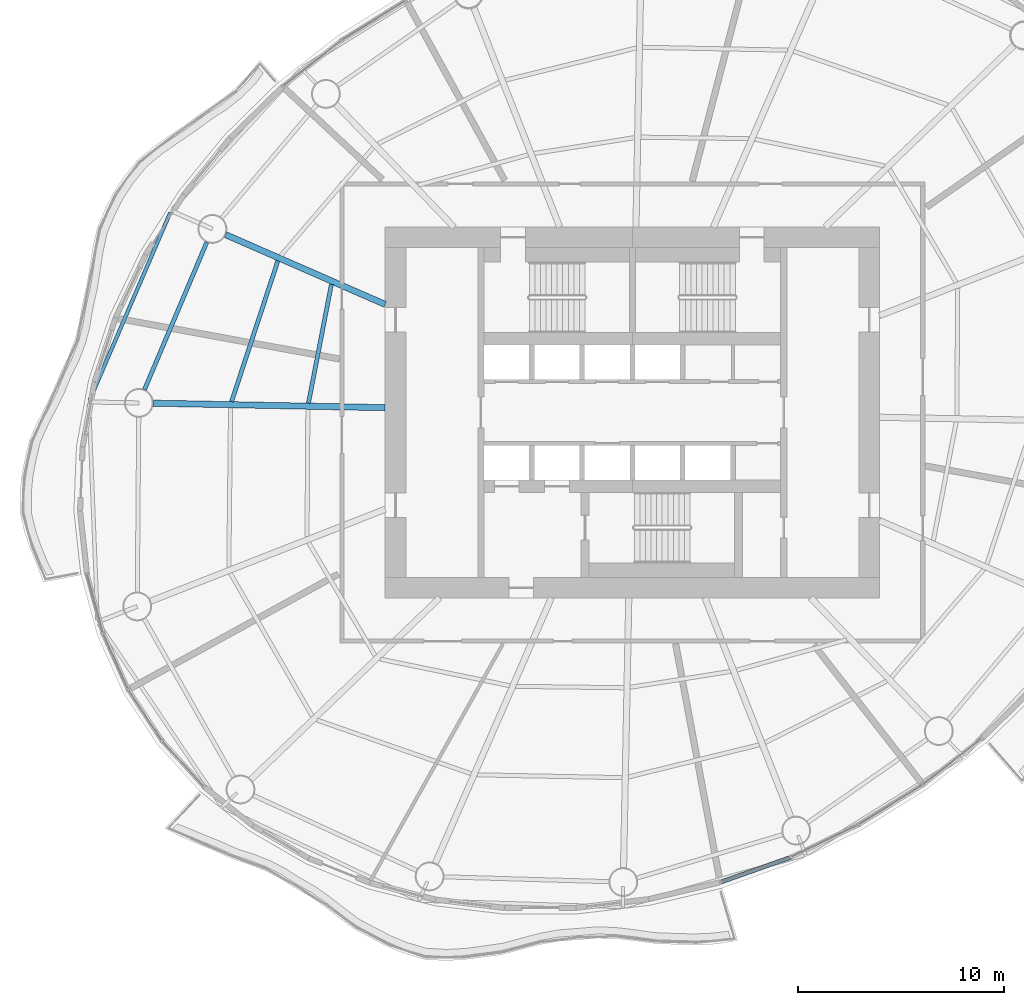
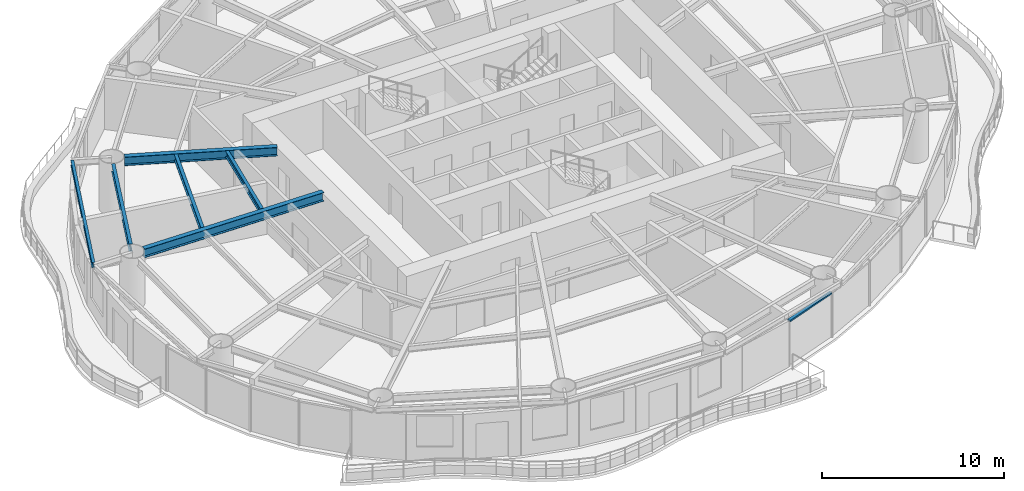
# One storey, part 3 of 14: 6 beams, 1 member, 1 element without a shape of its own.
"""IFC4 building model written with IfcOpenShell, lengths in metres."""

from ifc_helpers import new_model, si_unit, direction, frame, origin, origin_2d, place, context, subcontext, project, spatial, rectangle, i_section, extrude, material, material_profile, profile_set, type_object, element, aggregate, save


model = new_model("IFC4")

# Units and contexts
model_context = context("Model", 3, precision=1e-05, world=origin(), true_north=direction((0.0, 1.0)))
body_context = subcontext(model_context, "Body", "Model", "MODEL_VIEW")
ifc_project = project(units=[si_unit("LENGTHUNIT", "METRE"), si_unit("AREAUNIT", "SQUARE_METRE"), si_unit("VOLUMEUNIT", "CUBIC_METRE"), si_unit("PLANEANGLEUNIT", "RADIAN"), si_unit("MASSUNIT", "GRAM", prefix="KILO")], contexts=[model_context])

# Site, building, storey
site_placement = place(None, origin())
site = spatial("IfcSite", under=ifc_project, at=site_placement, CompositionType="ELEMENT")
building_placement = place(site_placement, origin())
building = spatial("IfcBuilding", under=site, at=building_placement, Name="Vermilion Reach Broadcast Tower", CompositionType="ELEMENT")
storey_placement = place(building_placement, frame((0.0, 0.0, 150.60009765625)))
storey = spatial("IfcBuildingStorey", under=building, at=storey_placement, Name="L35", CompositionType="ELEMENT", Elevation=150.60009765625)

# Beams
ifc_material_1 = material(Name="Steel S355J2", Category="steel")
ifc_material_profile_1 = material_profile(ifc_material_1, i_section(OverallWidth=0.175048828125, OverallDepth=0.35009765625, WebThickness=0.007080078125, FlangeThickness=0.010986328125, at=origin_2d()), Name="S355J2 HN 350x175x7x11")
ifc_profile_set_1 = profile_set([ifc_material_profile_1], Name="Steel S355J2")
beam_type_1 = type_object("IfcBeamType", Name="EB3 HN 350x175x7x11", PredefinedType="BEAM", material=ifc_profile_set_1)
beam_1_placement = place(storey_placement, frame((-28.4384765625, 9.69873046875, 3.27490234375), z_axis=(-0.394878195598, -0.918733481833, 0.0), x_axis=(0.918733481833, -0.394878195598, 0.0)))
element("IfcBeam", 1, at=beam_1_placement, inside=storey, type_object=beam_type_1, Name="Edge beam EB3-06", PredefinedType="BEAM", context=body_context, shape_type="SweptSolid", body=[
    extrude(i_section(OverallWidth=0.175048828125, OverallDepth=0.35009765625, WebThickness=0.007080078125, FlangeThickness=0.010986328125, at=origin_2d()), origin(), (0.0, 0.0, 1.0), 9.892333984375),
])
ifc_material_2 = material(Name="Steel S355J2", Category="steel")
ifc_material_profile_2 = material_profile(ifc_material_2, i_section(OverallWidth=0.300048828125, OverallDepth=0.587890625, WebThickness=0.011962890625, FlangeThickness=0.02001953125, at=origin_2d()), Name="S355J2 HM 588x300x12x20")
ifc_profile_set_2 = profile_set([ifc_material_profile_2], Name="Steel S355J2")
beam_type_2 = type_object("IfcBeamType", Name="G3 HM 588x300x12x20", PredefinedType="BEAM", material=ifc_profile_set_2)
beam_2_placement = place(storey_placement, frame((-18.0, 5.2451171875, 3.156005859375), z_axis=(-0.916287847036, 0.400520388213, 0.0), x_axis=(-0.400520388213, -0.916287847036, 0.0)))
element("IfcBeam", 2, at=beam_2_placement, inside=storey, type_object=beam_type_2, Name="Girder G3-06", PredefinedType="BEAM", context=body_context, shape_type="SweptSolid", body=[
    extrude(i_section(OverallWidth=0.300048828125, OverallDepth=0.587890625, WebThickness=0.011962890625, FlangeThickness=0.02001953125, at=origin_2d()), origin(), (0.0, 0.0, 1.0), 8.45458984375),
])
beam_3_placement = place(storey_placement, frame((-18.0, 0.232421875, 3.156005859375), z_axis=(-0.999812170888, 0.019380994401, 0.0), x_axis=(-0.019380994401, -0.999812170888, 0.0)))
element("IfcBeam", 3, at=beam_3_placement, inside=storey, type_object=beam_type_2, Name="Girder G3-07", PredefinedType="BEAM", context=body_context, shape_type="SweptSolid", body=[
    extrude(i_section(OverallWidth=0.300048828125, OverallDepth=0.587890625, WebThickness=0.011962890625, FlangeThickness=0.02001953125, at=origin_2d()), origin(), (0.0, 0.0, 1.0), 11.26171875),
])
ifc_material_3 = material(Name="Steel S355J2", Category="steel")
ifc_material_profile_3 = material_profile(ifc_material_3, i_section(OverallWidth=0.199951171875, OverallDepth=0.5, WebThickness=0.010009765625, FlangeThickness=0.01611328125, at=origin_2d()), Name="S355J2 HN 500x200x10x16")
ifc_profile_set_3 = profile_set([ifc_material_profile_3], Name="Steel S355J2")
beam_type_3 = type_object("IfcBeamType", Name="RB3 HN 500x200x10x16", PredefinedType="BEAM", material=ifc_profile_set_3)
beam_4_placement = place(storey_placement, frame((-26.660888671875, 8.266845703125, 3.199951171875), z_axis=(-0.389368386196, -0.921082113512, 0.0), x_axis=(0.921082113512, -0.389368386196, 0.0)))
element("IfcBeam", 4, at=beam_4_placement, inside=storey, type_object=beam_type_3, Name="Ring beam RB3-06", PredefinedType="BEAM", context=body_context, shape_type="SweptSolid", body=[
    extrude(i_section(OverallWidth=0.199951171875, OverallDepth=0.5, WebThickness=0.010009765625, FlangeThickness=0.01611328125, at=origin_2d()), origin(), (0.0, 0.0, 1.0), 7.771240234375),
])
ifc_material_4 = material(Name="Steel S355J2", Category="steel")
ifc_material_profile_4 = material_profile(ifc_material_4, i_section(OverallWidth=0.199951171875, OverallDepth=0.39990234375, WebThickness=0.008056640625, FlangeThickness=0.012939453125, at=origin_2d()), Name="S355J2 HN 400x200x8x13")
ifc_profile_set_4 = profile_set([ifc_material_profile_4], Name="Steel S355J2")
beam_type_4 = type_object("IfcBeamType", Name="SB3 HN 400x200x8x13", PredefinedType="BEAM", material=ifc_profile_set_4)
beam_5_placement = place(storey_placement, frame((-20.611328125, 6.222900390625, 3.25), z_axis=(-0.189462365782, -0.981887983404, 0.0), x_axis=(0.981887983404, -0.189462365782, 0.0)))
element("IfcBeam", 5, at=beam_5_placement, inside=storey, type_object=beam_type_4, Name="Secondary beam SB3-06-1", PredefinedType="BEAM", context=body_context, shape_type="SweptSolid", body=[
    extrude(i_section(OverallWidth=0.199951171875, OverallDepth=0.39990234375, WebThickness=0.008056640625, FlangeThickness=0.012939453125, at=origin_2d()), origin(), (0.0, 0.0, 1.0), 5.874755859375),
])
beam_6_placement = place(storey_placement, frame((-23.211669921875, 7.359375, 3.25), z_axis=(-0.312243016281, -0.950002262515, 0.0), x_axis=(0.950002262515, -0.312243016281, 0.0)))
element("IfcBeam", 6, at=beam_6_placement, inside=storey, type_object=beam_type_4, Name="Secondary beam SB3-06-2", PredefinedType="BEAM", context=body_context, shape_type="SweptSolid", body=[
    extrude(i_section(OverallWidth=0.199951171875, OverallDepth=0.39990234375, WebThickness=0.008056640625, FlangeThickness=0.012939453125, at=origin_2d()), origin(), (0.0, 0.0, 1.0), 7.19189453125),
])

# Curtain wall, member
ifc_material_5 = material(Name="Low-e laminated clear glass in aluminium frame", Category="aluminium")
curtain_wall_type = type_object("IfcCurtainWallType", Name="Slot curtain wall", PredefinedType="NOTDEFINED", material=ifc_material_5)
curtain_wall_placement = place(storey_placement, origin())
curtain_wall = element("IfcCurtainWall", 7, at=curtain_wall_placement, inside=storey, type_object=curtain_wall_type, Name="Slot curtain wall L35 34", PredefinedType="NOTDEFINED")
ifc_material_6 = material(Name="Anodised aluminium", Category="aluminium")
ifc_material_profile_5 = material_profile(ifc_material_6, rectangle(XDim=0.199951171875, YDim=0.10009765625, at=origin_2d()), Name="Slot transom 200 x 100")
ifc_profile_set_5 = profile_set([ifc_material_profile_5], Name="Anodised aluminium")
member_type = type_object("IfcMemberType", Name="Slot transom 200 x 100", PredefinedType="USERDEFINED", material=ifc_profile_set_5)
member_placement = place(storey_placement, frame((-1.686279296875, -22.793701171875, 3.0), z_axis=(0.942395633191, 0.33450032966, 0.0), x_axis=(-0.33450032966, 0.942395633191, 0.0)))
member = element("IfcMember", 8, at=member_placement, type_object=member_type, Name="Slot transom L35 34.1", ObjectType="TRANSOM", PredefinedType="USERDEFINED", context=body_context, shape_type="SweptSolid", body=[
    extrude(rectangle(XDim=0.199951171875, YDim=0.10009765625, at=origin_2d()), origin(), (0.0, 0.0, 1.0), 3.555908203125),
])
aggregate(curtain_wall, [member])

save(model, "model.ifc")
